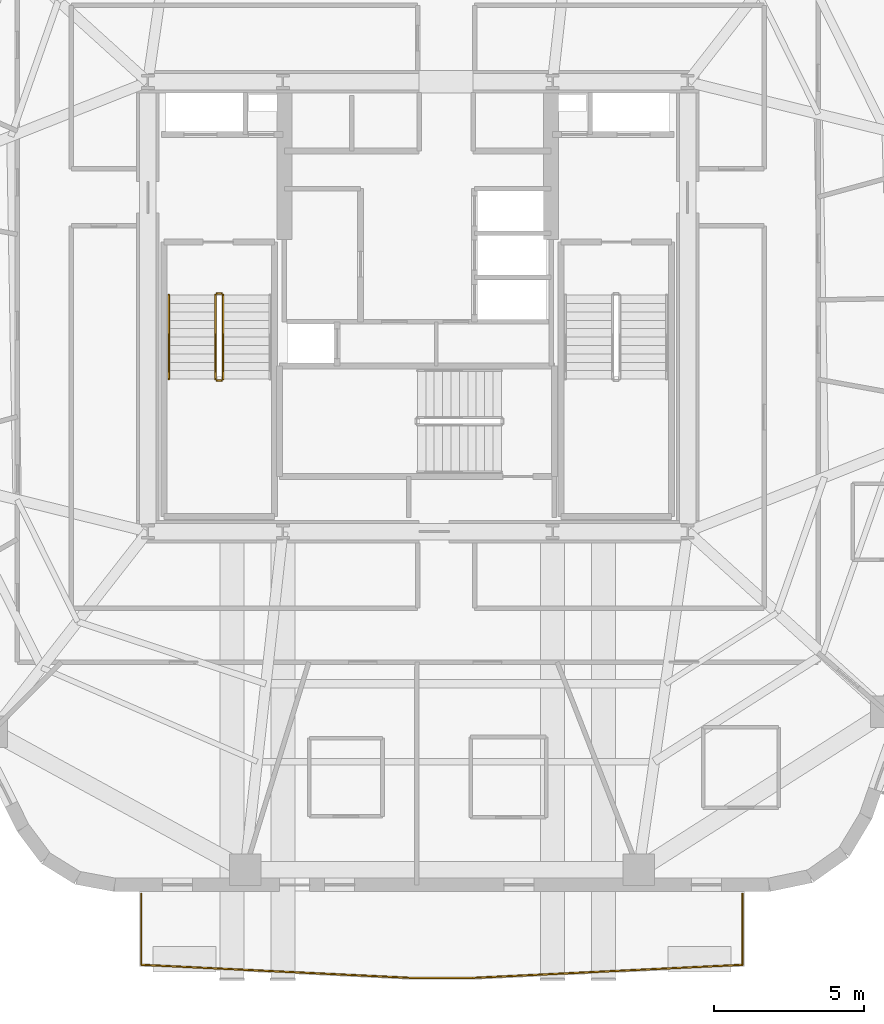
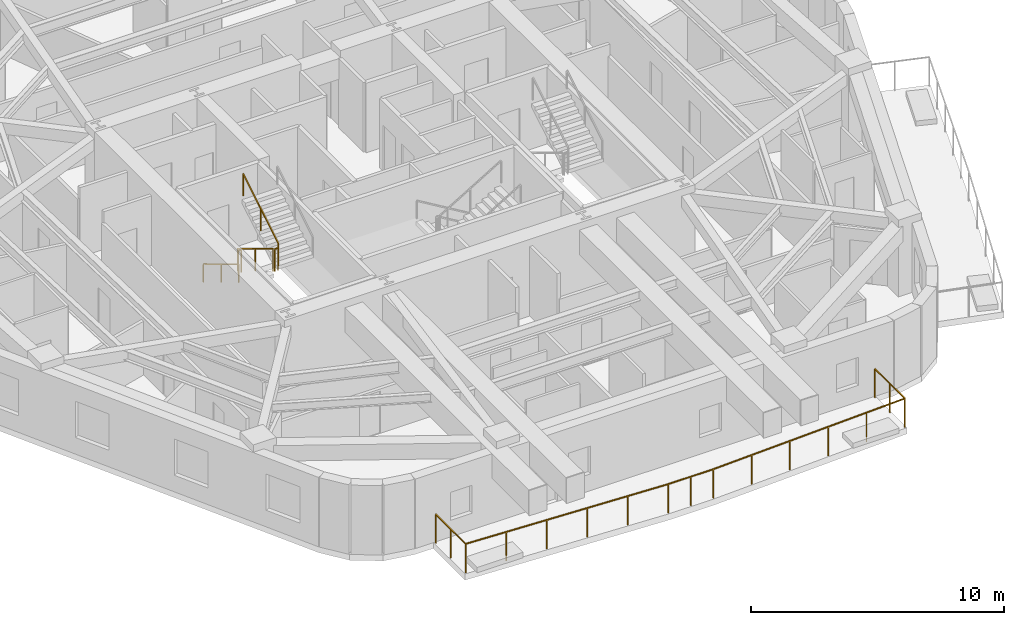
# One storey, part 8 of 11: 6 railings.
"""IFC4 building model written with IfcOpenShell, lengths in metres."""

from ifc_helpers import new_model, si_unit, direction, frame, origin, origin_2d, place, context, subcontext, project, spatial, rectangle, extrude, material, layer, layer_set, type_object, element, save


model = new_model("IFC4")

# Units and contexts
model_context = context("Model", 3, precision=1e-05, world=origin(), true_north=direction((0.0, 1.0)))
body_context = subcontext(model_context, "Body", "Model", "MODEL_VIEW")
ifc_project = project(units=[si_unit("LENGTHUNIT", "METRE"), si_unit("AREAUNIT", "SQUARE_METRE"), si_unit("VOLUMEUNIT", "CUBIC_METRE"), si_unit("PLANEANGLEUNIT", "RADIAN"), si_unit("MASSUNIT", "GRAM", prefix="KILO")], contexts=[model_context])

# Site, building, storey
site_placement = place(None, origin())
site = spatial("IfcSite", under=ifc_project, at=site_placement, CompositionType="ELEMENT")
building_placement = place(site_placement, origin())
building = spatial("IfcBuilding", under=site, at=building_placement, Name="Kilnhurst Terrace Hotel", CompositionType="ELEMENT")
storey_placement = place(building_placement, frame((0.0, 0.0, 197.800048828125)))
storey = spatial("IfcBuildingStorey", under=building, at=storey_placement, Name="L49", CompositionType="ELEMENT", Elevation=197.800048828125)

# Railings
ifc_material_1 = material(Name="Laminated SentryGlas and Stainless Steel AISI 316L Balustrade", Category="steel")
ifc_layer_1 = layer(ifc_material_1, 0.070068359375, Name="Laminated SentryGlas and Stainless Steel AISI 316L Balustrade")
ifc_layer_set_1 = layer_set([ifc_layer_1], Name="Laminated SentryGlas and Stainless Steel AISI 316L Balustrade")
railing_type_1 = type_object("IfcRailingType", Name="RLG-BAL-1420", PredefinedType="BALUSTRADE", material=ifc_layer_set_1)
railing_1_placement = place(storey_placement, frame((10.83349609375, -19.580078125, 0.0)))
element("IfcRailing", 1, at=railing_1_placement, inside=storey, type_object=railing_type_1, Name="L49 Exterior Terrace Guardrail BAL-L1A.1", PredefinedType="BALUSTRADE", context=body_context, shape_type="SweptSolid", body=[
    extrude(rectangle(XDim=0.048095703125, YDim=0.048095703125, at=origin_2d()), frame((0.0, 0.0, 1.39599609375), z_axis=(0.0, -1.0, 0.0), x_axis=(1.0, 0.0, 0.0)), (0.0, 0.0, 1.0), 2.36279296875),
    extrude(rectangle(XDim=0.048095703125, YDim=0.048095703125, at=origin_2d()), frame((0.0, -2.36279296875, 1.39599609375), z_axis=(-0.998822813861, -0.048507592295, 0.0), x_axis=(0.048507592295, -0.998822813861, 0.0)), (0.0, 0.0, 1.0), 9.009033203125),
    extrude(rectangle(XDim=0.048095703125, YDim=0.048095703125, at=origin_2d()), frame((-8.99853515625, -2.7998046875, 1.39599609375), z_axis=(-1.0, 0.0, 0.0), x_axis=(0.0, -1.0, 0.0)), (0.0, 0.0, 1.0), 2.0556640625),
    extrude(rectangle(XDim=0.048095703125, YDim=0.048095703125, at=origin_2d()), frame((-11.05419921875, -2.7998046875, 1.39599609375), z_axis=(-0.998822813861, 0.048507592295, 0.0), x_axis=(-0.048507592295, -0.998822813861, 0.0)), (0.0, 0.0, 1.0), 9.009033203125),
    extrude(rectangle(XDim=0.048095703125, YDim=0.048095703125, at=origin_2d()), frame((-20.052734375, -2.36279296875, 1.39599609375), z_axis=(0.0, 1.0, 0.0), x_axis=(-1.0, 0.0, 0.0)), (0.0, 0.0, 1.0), 2.36279296875),
    extrude(rectangle(XDim=0.0419921875, YDim=0.0419921875, at=origin_2d()), origin(), (0.0, 0.0, 1.0), 1.371826171875),
    extrude(rectangle(XDim=0.0419921875, YDim=0.0419921875, at=origin_2d()), frame((0.0, -1.181396484375, 0.0)), (0.0, 0.0, 1.0), 1.371826171875),
    extrude(rectangle(XDim=0.0419921875, YDim=0.0419921875, at=origin_2d()), frame((0.0, -2.36279296875, 0.0)), (0.0, 0.0, 1.0), 1.371826171875),
    extrude(rectangle(XDim=0.0419921875, YDim=0.0419921875, at=origin_2d()), frame((-1.7998046875, -2.4501953125, 0.0)), (0.0, 0.0, 1.0), 1.371826171875),
    extrude(rectangle(XDim=0.0419921875, YDim=0.0419921875, at=origin_2d()), frame((-3.599365234375, -2.53759765625, 0.0)), (0.0, 0.0, 1.0), 1.371826171875),
    extrude(rectangle(XDim=0.0419921875, YDim=0.0419921875, at=origin_2d()), frame((-5.399169921875, -2.625, 0.0)), (0.0, 0.0, 1.0), 1.371826171875),
    extrude(rectangle(XDim=0.0419921875, YDim=0.0419921875, at=origin_2d()), frame((-7.19873046875, -2.71240234375, 0.0)), (0.0, 0.0, 1.0), 1.371826171875),
    extrude(rectangle(XDim=0.0419921875, YDim=0.0419921875, at=origin_2d()), frame((-8.99853515625, -2.7998046875, 0.0)), (0.0, 0.0, 1.0), 1.371826171875),
    extrude(rectangle(XDim=0.0419921875, YDim=0.0419921875, at=origin_2d()), frame((-10.0263671875, -2.7998046875, 0.0)), (0.0, 0.0, 1.0), 1.371826171875),
    extrude(rectangle(XDim=0.0419921875, YDim=0.0419921875, at=origin_2d()), frame((-11.05419921875, -2.7998046875, 0.0)), (0.0, 0.0, 1.0), 1.371826171875),
    extrude(rectangle(XDim=0.0419921875, YDim=0.0419921875, at=origin_2d()), frame((-12.85400390625, -2.71240234375, 0.0)), (0.0, 0.0, 1.0), 1.371826171875),
    extrude(rectangle(XDim=0.0419921875, YDim=0.0419921875, at=origin_2d()), frame((-14.653564453125, -2.625, 0.0)), (0.0, 0.0, 1.0), 1.371826171875),
    extrude(rectangle(XDim=0.0419921875, YDim=0.0419921875, at=origin_2d()), frame((-16.453369140625, -2.53759765625, 0.0)), (0.0, 0.0, 1.0), 1.371826171875),
    extrude(rectangle(XDim=0.0419921875, YDim=0.0419921875, at=origin_2d()), frame((-18.2529296875, -2.4501953125, 0.0)), (0.0, 0.0, 1.0), 1.371826171875),
    extrude(rectangle(XDim=0.0419921875, YDim=0.0419921875, at=origin_2d()), frame((-20.052734375, -2.36279296875, 0.0)), (0.0, 0.0, 1.0), 1.371826171875),
    extrude(rectangle(XDim=0.0419921875, YDim=0.0419921875, at=origin_2d()), frame((-20.052734375, -1.181396484375, 0.0)), (0.0, 0.0, 1.0), 1.371826171875),
    extrude(rectangle(XDim=0.0419921875, YDim=0.0419921875, at=origin_2d()), frame((-20.052734375, 0.0, 0.0)), (0.0, 0.0, 1.0), 1.371826171875),
])
ifc_material_2 = material(Name="Powder-Coated Steel ASTM A500 Grade B", Category="steel")
ifc_layer_2 = layer(ifc_material_2, 0.050048828125, Name="Powder-Coated Steel ASTM A500 Grade B")
ifc_layer_set_2 = layer_set([ifc_layer_2], Name="Powder-Coated Steel ASTM A500 Grade B")
railing_type_2 = type_object("IfcRailingType", Name="RLG-ST-GRD-1100", PredefinedType="GUARDRAIL", material=ifc_layer_set_2)
railing_2_placement = place(storey_placement, frame((-6.739990234375, 0.389892578125, 0.168212890625)))
element("IfcRailing", 2, at=railing_2_placement, inside=storey, type_object=railing_type_2, Name="L49 ST-1 stair guard 1", PredefinedType="GUARDRAIL", context=body_context, shape_type="SweptSolid", body=[
    extrude(rectangle(XDim=0.048095703125, YDim=0.048095703125, at=origin_2d()), frame((0.0, 0.0, 1.076171875), z_axis=(0.0, -0.857255387014, 0.514891446264), x_axis=(1.0, 0.0, 0.0)), (0.0, 0.0, 1.0), 3.26611328125),
    extrude(rectangle(XDim=0.0419921875, YDim=0.0419921875, at=origin_2d()), origin(), (0.0, 0.0, 1.0), 1.052001953125),
    extrude(rectangle(XDim=0.0419921875, YDim=0.0419921875, at=origin_2d()), frame((0.0, -1.39990234375, 0.8408203125)), (0.0, 0.0, 1.0), 1.052001953125),
    extrude(rectangle(XDim=0.0419921875, YDim=0.0419921875, at=origin_2d()), frame((0.0, -2.7998046875, 1.681640625)), (0.0, 0.0, 1.0), 1.052001953125),
])
railing_3_placement = place(storey_placement, frame((-6.68994140625, -2.4599609375, 1.849853515625)))
element("IfcRailing", 3, at=railing_3_placement, inside=storey, type_object=railing_type_2, Name="L49 ST-1 stair guard 2", PredefinedType="GUARDRAIL", context=body_context, shape_type="SweptSolid", body=[
    extrude(rectangle(XDim=0.048095703125, YDim=0.048095703125, at=origin_2d()), frame((0.0, 0.0, 1.076171875), z_axis=(1.0, 0.0, 0.0), x_axis=(0.0, 1.0, 0.0)), (0.0, 0.0, 1.0), 0.14990234375),
    extrude(rectangle(XDim=0.0419921875, YDim=0.0419921875, at=origin_2d()), origin(), (0.0, 0.0, 1.0), 1.052001953125),
    extrude(rectangle(XDim=0.0419921875, YDim=0.0419921875, at=origin_2d()), frame((0.14990234375, 0.0, 0.0)), (0.0, 0.0, 1.0), 1.052001953125),
])
railing_4_placement = place(storey_placement, frame((-6.489990234375, -2.409912109375, 2.01806640625)))
element("IfcRailing", 4, at=railing_4_placement, inside=storey, type_object=railing_type_2, Name="L49 ST-1 stair guard 3", PredefinedType="GUARDRAIL", context=body_context, shape_type="SweptSolid", body=[
    extrude(rectangle(XDim=0.048095703125, YDim=0.048095703125, at=origin_2d()), frame((0.0, 0.0, 1.076171875), z_axis=(0.0, 0.857222391501, 0.514946377315), x_axis=(-1.0, 0.0, 0.0)), (0.0, 0.0, 1.0), 3.26611328125),
    extrude(rectangle(XDim=0.0419921875, YDim=0.0419921875, at=origin_2d()), origin(), (0.0, 0.0, 1.0), 1.052001953125),
    extrude(rectangle(XDim=0.0419921875, YDim=0.0419921875, at=origin_2d()), frame((0.0, 1.39990234375, 0.8408203125)), (0.0, 0.0, 1.0), 1.052001953125),
    extrude(rectangle(XDim=0.0419921875, YDim=0.0419921875, at=origin_2d()), frame((0.0, 2.7998046875, 1.681884765625)), (0.0, 0.0, 1.0), 1.052001953125),
])
railing_5_placement = place(storey_placement, frame((-6.68994140625, 0.43994140625, 0.0)))
element("IfcRailing", 5, at=railing_5_placement, inside=storey, type_object=railing_type_2, Name="L49 ST-1 stair guard 4", PredefinedType="GUARDRAIL", context=body_context, shape_type="SweptSolid", body=[
    extrude(rectangle(XDim=0.048095703125, YDim=0.048095703125, at=origin_2d()), frame((0.0, 0.0, 1.076171875), z_axis=(1.0, 0.0, 0.0), x_axis=(0.0, 1.0, 0.0)), (0.0, 0.0, 1.0), 0.14990234375),
    extrude(rectangle(XDim=0.0419921875, YDim=0.0419921875, at=origin_2d()), origin(), (0.0, 0.0, 1.0), 1.052001953125),
    extrude(rectangle(XDim=0.0419921875, YDim=0.0419921875, at=origin_2d()), frame((0.14990234375, 0.0, 0.0)), (0.0, 0.0, 1.0), 1.052001953125),
])
ifc_material_3 = material(Name="Brushed Stainless Steel AISI 304", Category="steel")
ifc_layer_3 = layer(ifc_material_3, 0.048095703125, Name="Brushed Stainless Steel AISI 304")
ifc_layer_set_3 = layer_set([ifc_layer_3], Name="Brushed Stainless Steel AISI 304")
railing_type_3 = type_object("IfcRailingType", Name="RLG-ST-HRL-900", PredefinedType="HANDRAIL", material=ifc_layer_set_3)
railing_6_placement = place(storey_placement, frame((-8.300048828125, 0.389892578125, 0.168212890625)))
element("IfcRailing", 6, at=railing_6_placement, inside=storey, type_object=railing_type_3, Name="L49 ST-1 stair handrail 1", PredefinedType="HANDRAIL", context=body_context, shape_type="SweptSolid", body=[
    extrude(rectangle(XDim=0.048095703125, YDim=0.048095703125, at=origin_2d()), frame((0.0, 0.0, 0.8759765625), z_axis=(0.0, -0.857255387014, 0.514891446264), x_axis=(1.0, 0.0, 0.0)), (0.0, 0.0, 1.0), 3.26611328125),
    extrude(rectangle(XDim=0.0419921875, YDim=0.0419921875, at=origin_2d()), origin(), (0.0, 0.0, 1.0), 0.851806640625),
    extrude(rectangle(XDim=0.0419921875, YDim=0.0419921875, at=origin_2d()), frame((0.0, -1.39990234375, 0.8408203125)), (0.0, 0.0, 1.0), 0.851806640625),
    extrude(rectangle(XDim=0.0419921875, YDim=0.0419921875, at=origin_2d()), frame((0.0, -2.7998046875, 1.681640625)), (0.0, 0.0, 1.0), 0.851806640625),
])

save(model, "model.ifc")
